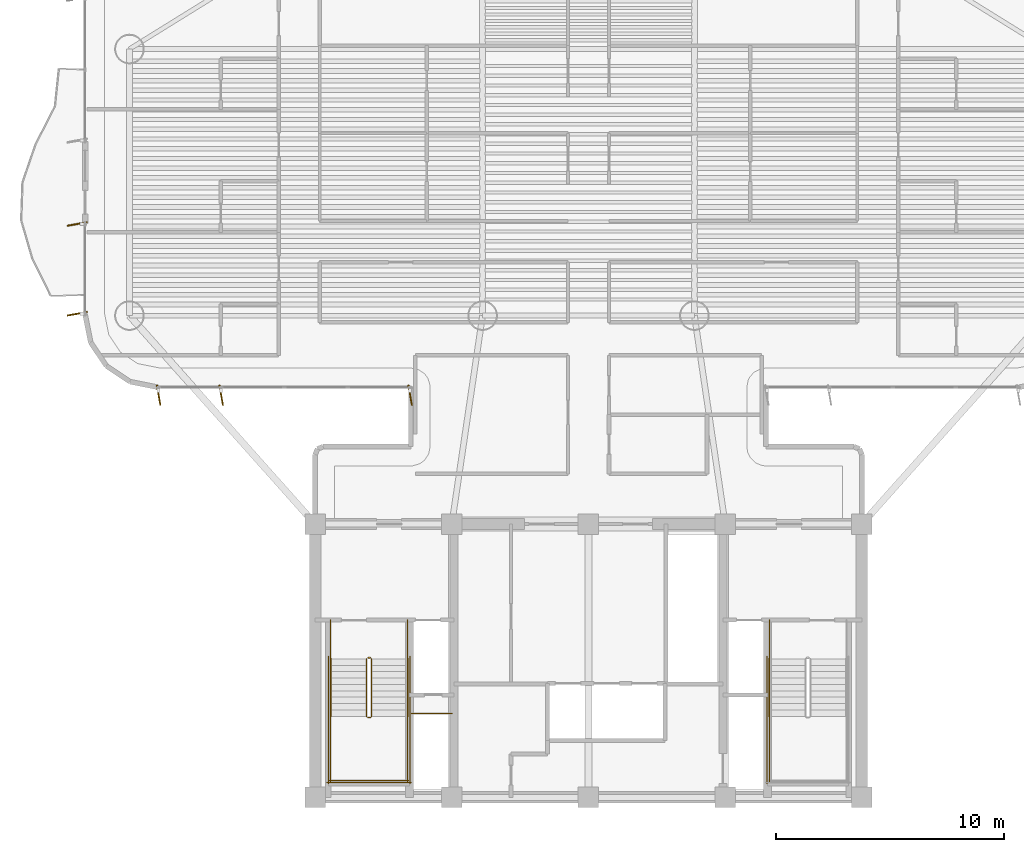
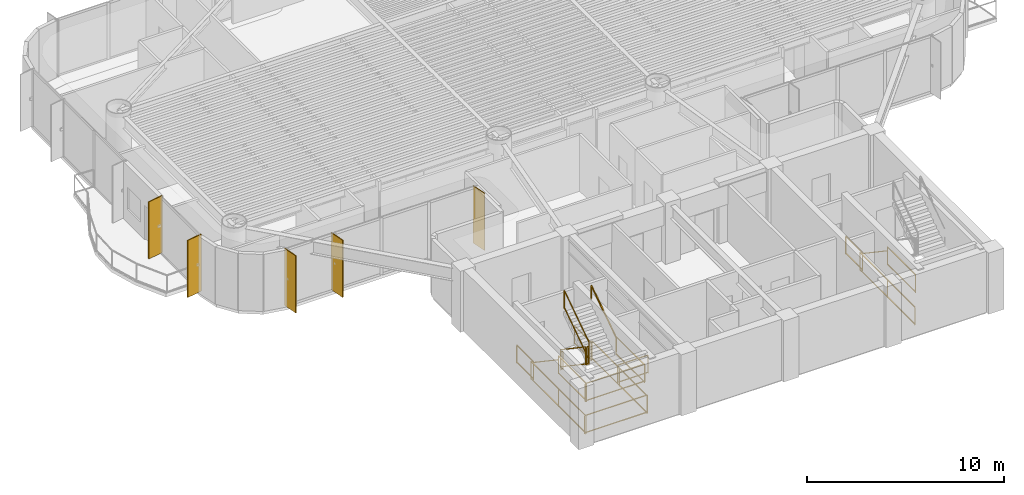
# One storey, part 14 of 17: 19 railings, 5 shading devices.
"""IFC4 building model written with IfcOpenShell, lengths in metres."""

from ifc_helpers import new_model, si_unit, direction, frame, origin, origin_2d, place, context, subcontext, project, spatial, rectangle, extrude, source, transform, mapped, material, layer, layer_set, material_profile, profile_set, type_object, element, save


model = new_model("IFC4")

# Units and contexts
model_context = context("Model", 3, precision=1e-05, world=origin(), true_north=direction((0.0, 1.0)))
body_context = subcontext(model_context, "Body", "Model", "MODEL_VIEW")
ifc_project = project(units=[si_unit("LENGTHUNIT", "METRE"), si_unit("AREAUNIT", "SQUARE_METRE"), si_unit("VOLUMEUNIT", "CUBIC_METRE"), si_unit("PLANEANGLEUNIT", "RADIAN"), si_unit("MASSUNIT", "GRAM", prefix="KILO")], contexts=[model_context])

# Site, building, storey
site_placement = place(None, origin())
site = spatial("IfcSite", under=ifc_project, at=site_placement, CompositionType="ELEMENT")
building_placement = place(site_placement, origin())
building = spatial("IfcBuilding", under=site, at=building_placement, Name="Brelvock Crest Care Tower", CompositionType="ELEMENT")
storey_placement = place(building_placement, frame((0.0, 0.0, 127.6201171875)))
storey = spatial("IfcBuildingStorey", under=building, at=storey_placement, Name="L32", CompositionType="ELEMENT", Elevation=127.6201171875)

# Railings
ifc_material_1 = material(Name="Steel Grade 350", Category="steel")
ifc_layer_1 = layer(ifc_material_1, 0.050048828125, Name="RL-STG1")
ifc_layer_set_1 = layer_set([ifc_layer_1], Name="Steel Grade 350")
railing_type_1 = type_object("IfcRailingType", Name="RL-STG1", PredefinedType="GUARDRAIL", material=ifc_layer_set_1)
railing_1_placement = place(storey_placement, frame((26.260009765625, 12.080078125, 0.18896484375)))
element("IfcRailing", 1, at=railing_1_placement, inside=storey, type_object=railing_type_1, Name="L32 ST-1 stair guard 1", PredefinedType="GUARDRAIL", context=body_context, shape_type="SweptSolid", body=[
    extrude(rectangle(XDim=0.048095703125, YDim=0.048095703125, at=origin_2d()), frame((0.0, -0.001708984375, 1.116943359375), z_axis=(0.0, -0.828861706735, 0.559453546873), x_axis=(1.0, 0.0, 0.0)), (0.0, 0.0, 1.0), 3.036376953125),
    extrude(rectangle(XDim=0.048095703125, YDim=0.048095703125, at=origin_2d()), frame((0.0, -0.001708984375, 0.05615234375), z_axis=(0.0, -0.828861706735, 0.559453546873), x_axis=(1.0, 0.0, 0.0)), (0.0, 0.0, 1.0), 3.036376953125),
    extrude(rectangle(XDim=0.0419921875, YDim=0.0419921875, at=origin_2d()), origin(), (0.0, 0.0, 1.0), 1.08984375),
    extrude(rectangle(XDim=0.0419921875, YDim=0.0419921875, at=origin_2d()), frame((0.0, -2.52001953125, 1.700927734375)), (0.0, 0.0, 1.0), 1.08984375),
])
railing_2_placement = place(storey_placement, frame((26.31005859375, 9.510009765625, 1.889892578125)))
element("IfcRailing", 2, at=railing_2_placement, inside=storey, type_object=railing_type_1, Name="L32 ST-1 stair guard 2", PredefinedType="GUARDRAIL", context=body_context, shape_type="SweptSolid", body=[
    extrude(rectangle(XDim=0.048095703125, YDim=0.048095703125, at=origin_2d()), frame((0.001953125, 0.0, 1.11572265625), z_axis=(1.0, 0.0, 0.0), x_axis=(0.0, 1.0, 0.0)), (0.0, 0.0, 1.0), 0.115966796875),
    extrude(rectangle(XDim=0.048095703125, YDim=0.048095703125, at=origin_2d()), frame((0.001953125, 0.0, 0.054931640625), z_axis=(1.0, 0.0, 0.0), x_axis=(0.0, 1.0, 0.0)), (0.0, 0.0, 1.0), 0.115966796875),
    extrude(rectangle(XDim=0.0419921875, YDim=0.0419921875, at=origin_2d()), origin(), (0.0, 0.0, 1.0), 1.08984375),
    extrude(rectangle(XDim=0.0419921875, YDim=0.0419921875, at=origin_2d()), frame((0.119873046875, 0.0, 0.0)), (0.0, 0.0, 1.0), 1.08984375),
])
for number, where, name in (
    (3, (24.679931640625, 9.56005859375, 1.889892578125), "L32 ST-1 stair guard 3"),
    (4, (28.06005859375, 9.56005859375, 1.889892578125), "L32 ST-1 stair guard 4"),
):
    element("IfcRailing", number, at=place(storey_placement, frame(where)), inside=storey, type_object=railing_type_1, Name=name, PredefinedType="GUARDRAIL", context=body_context, shape_type="SweptSolid", body=[
        extrude(rectangle(XDim=0.048095703125, YDim=0.048095703125, at=origin_2d()), frame((0.0, -0.001953125, 1.11572265625), z_axis=(0.0, -1.0, 0.0), x_axis=(1.0, 0.0, 0.0)), (0.0, 0.0, 1.0), 2.856201171875),
        extrude(rectangle(XDim=0.048095703125, YDim=0.048095703125, at=origin_2d()), frame((0.0, -0.001953125, 0.054931640625), z_axis=(0.0, -1.0, 0.0), x_axis=(1.0, 0.0, 0.0)), (0.0, 0.0, 1.0), 2.856201171875),
        extrude(rectangle(XDim=0.0419921875, YDim=0.0419921875, at=origin_2d()), origin(), (0.0, 0.0, 1.0), 1.08984375),
        extrude(rectangle(XDim=0.0419921875, YDim=0.0419921875, at=origin_2d()), frame((0.0, -2.860107421875, 0.0)), (0.0, 0.0, 1.0), 1.08984375),
    ])
railing_3_placement = place(storey_placement, frame((24.6298828125, 6.75, 1.889892578125)))
element("IfcRailing", 5, at=railing_3_placement, inside=storey, type_object=railing_type_1, Name="L32 ST-1 stair guard 5", PredefinedType="GUARDRAIL", context=body_context, shape_type="SweptSolid", body=[
    extrude(rectangle(XDim=0.048095703125, YDim=0.048095703125, at=origin_2d()), frame((0.001953125, 0.0, 1.11572265625), z_axis=(1.0, 0.0, 0.0), x_axis=(0.0, 1.0, 0.0)), (0.0, 0.0, 1.0), 3.476318359375),
    extrude(rectangle(XDim=0.048095703125, YDim=0.048095703125, at=origin_2d()), frame((0.001953125, 0.0, 0.054931640625), z_axis=(1.0, 0.0, 0.0), x_axis=(0.0, 1.0, 0.0)), (0.0, 0.0, 1.0), 3.476318359375),
    extrude(rectangle(XDim=0.0419921875, YDim=0.0419921875, at=origin_2d()), origin(), (0.0, 0.0, 1.0), 1.08984375),
    extrude(rectangle(XDim=0.0419921875, YDim=0.0419921875, at=origin_2d()), frame((3.480224609375, 0.0, 0.0)), (0.0, 0.0, 1.0), 1.08984375),
])
railing_4_placement = place(storey_placement, frame((26.47998046875, 9.56005859375, 2.078857421875)))
element("IfcRailing", 6, at=railing_4_placement, inside=storey, type_object=railing_type_1, Name="L32 ST-1 stair guard 6", PredefinedType="GUARDRAIL", context=body_context, shape_type="SweptSolid", body=[
    extrude(rectangle(XDim=0.048095703125, YDim=0.048095703125, at=origin_2d()), frame((0.0, 0.001708984375, 1.116943359375), z_axis=(0.0, 0.828861706735, 0.559453546873), x_axis=(-1.0, 0.0, 0.0)), (0.0, 0.0, 1.0), 3.036376953125),
    extrude(rectangle(XDim=0.048095703125, YDim=0.048095703125, at=origin_2d()), frame((0.0, 0.001708984375, 0.05615234375), z_axis=(0.0, 0.828861706735, 0.559453546873), x_axis=(-1.0, 0.0, 0.0)), (0.0, 0.0, 1.0), 3.036376953125),
    extrude(rectangle(XDim=0.0419921875, YDim=0.0419921875, at=origin_2d()), origin(), (0.0, 0.0, 1.0), 1.08984375),
    extrude(rectangle(XDim=0.0419921875, YDim=0.0419921875, at=origin_2d()), frame((0.0, 2.52001953125, 1.700927734375)), (0.0, 0.0, 1.0), 1.08984375),
])
railing_5_placement = place(storey_placement, frame((26.31005859375, 12.1298828125, 0.0)))
element("IfcRailing", 7, at=railing_5_placement, inside=storey, type_object=railing_type_1, Name="L32 ST-1 stair guard 7", PredefinedType="GUARDRAIL", context=body_context, shape_type="SweptSolid", body=[
    extrude(rectangle(XDim=0.048095703125, YDim=0.048095703125, at=origin_2d()), frame((0.001953125, 0.0, 1.11572265625), z_axis=(1.0, 0.0, 0.0), x_axis=(0.0, 1.0, 0.0)), (0.0, 0.0, 1.0), 0.115966796875),
    extrude(rectangle(XDim=0.048095703125, YDim=0.048095703125, at=origin_2d()), frame((0.001953125, 0.0, 0.054931640625), z_axis=(1.0, 0.0, 0.0), x_axis=(0.0, 1.0, 0.0)), (0.0, 0.0, 1.0), 0.115966796875),
    extrude(rectangle(XDim=0.0419921875, YDim=0.0419921875, at=origin_2d()), origin(), (0.0, 0.0, 1.0), 1.08984375),
    extrude(rectangle(XDim=0.0419921875, YDim=0.0419921875, at=origin_2d()), frame((0.119873046875, 0.0, 0.0)), (0.0, 0.0, 1.0), 1.08984375),
])
for number, where, name in (
    (8, (24.679931640625, 13.780029296875, 0.0), "L32 ST-1 stair guard 8"),
    (9, (28.06005859375, 13.780029296875, 0.0), "L32 ST-1 stair guard 9"),
):
    element("IfcRailing", number, at=place(storey_placement, frame(where)), inside=storey, type_object=railing_type_1, Name=name, PredefinedType="GUARDRAIL", context=body_context, shape_type="SweptSolid", body=[
        extrude(rectangle(XDim=0.048095703125, YDim=0.048095703125, at=origin_2d()), frame((0.0, -0.001953125, 1.11572265625), z_axis=(0.0, -1.0, 0.0), x_axis=(1.0, 0.0, 0.0)), (0.0, 0.0, 1.0), 1.696044921875),
        extrude(rectangle(XDim=0.048095703125, YDim=0.048095703125, at=origin_2d()), frame((0.0, -0.001953125, 0.054931640625), z_axis=(0.0, -1.0, 0.0), x_axis=(1.0, 0.0, 0.0)), (0.0, 0.0, 1.0), 1.696044921875),
        extrude(rectangle(XDim=0.0419921875, YDim=0.0419921875, at=origin_2d()), origin(), (0.0, 0.0, 1.0), 1.08984375),
        extrude(rectangle(XDim=0.0419921875, YDim=0.0419921875, at=origin_2d()), frame((0.0, -1.699951171875, 0.0)), (0.0, 0.0, 1.0), 1.08984375),
    ])
for number, where, name in (
    (10, (24.580078125, 12.179931640625, 0.0), "L32 ST-1 stair guard 10"),
    (11, (28.159912109375, 12.179931640625, 0.0), "L32 ST-1 stair guard 11"),
):
    element("IfcRailing", number, at=place(storey_placement, frame(where)), inside=storey, type_object=railing_type_1, Name=name, PredefinedType="GUARDRAIL", context=body_context, shape_type="SweptSolid", body=[
        extrude(rectangle(XDim=0.048095703125, YDim=0.048095703125, at=origin_2d()), frame((0.0, -0.001953125, 1.11572265625), z_axis=(0.0, -1.0, 0.0), x_axis=(1.0, 0.0, 0.0)), (0.0, 0.0, 1.0), 5.575927734375),
        extrude(rectangle(XDim=0.048095703125, YDim=0.048095703125, at=origin_2d()), frame((0.0, -0.001953125, 0.054931640625), z_axis=(0.0, -1.0, 0.0), x_axis=(1.0, 0.0, 0.0)), (0.0, 0.0, 1.0), 5.575927734375),
        extrude(rectangle(XDim=0.0419921875, YDim=0.0419921875, at=origin_2d()), origin(), (0.0, 0.0, 1.0), 1.08984375),
        extrude(rectangle(XDim=0.0419921875, YDim=0.0419921875, at=origin_2d()), frame((0.0, -2.7900390625, 0.0)), (0.0, 0.0, 1.0), 1.08984375),
        extrude(rectangle(XDim=0.0419921875, YDim=0.0419921875, at=origin_2d()), frame((0.0, -5.579833984375, 0.0)), (0.0, 0.0, 1.0), 1.08984375),
    ])
railing_6_placement = place(storey_placement, frame((24.530029296875, 6.64990234375, 0.0)))
element("IfcRailing", 12, at=railing_6_placement, inside=storey, type_object=railing_type_1, Name="L32 ST-1 stair guard 12", PredefinedType="GUARDRAIL", context=body_context, shape_type="SweptSolid", body=[
    extrude(rectangle(XDim=0.048095703125, YDim=0.048095703125, at=origin_2d()), frame((0.001953125, 0.0, 1.11572265625), z_axis=(1.0, 0.0, 0.0), x_axis=(0.0, 1.0, 0.0)), (0.0, 0.0, 1.0), 3.676025390625),
    extrude(rectangle(XDim=0.048095703125, YDim=0.048095703125, at=origin_2d()), frame((0.001953125, 0.0, 0.054931640625), z_axis=(1.0, 0.0, 0.0), x_axis=(0.0, 1.0, 0.0)), (0.0, 0.0, 1.0), 3.676025390625),
    extrude(rectangle(XDim=0.0419921875, YDim=0.0419921875, at=origin_2d()), origin(), (0.0, 0.0, 1.0), 1.08984375),
    extrude(rectangle(XDim=0.0419921875, YDim=0.0419921875, at=origin_2d()), frame((3.679931640625, 0.0, 0.0)), (0.0, 0.0, 1.0), 1.08984375),
])
railing_7_placement = place(storey_placement, frame((43.93994140625, 9.56005859375, 1.889892578125)))
element("IfcRailing", 13, at=railing_7_placement, inside=storey, type_object=railing_type_1, Name="L32 ST-2 stair guard 3", PredefinedType="GUARDRAIL", context=body_context, shape_type="SweptSolid", body=[
    extrude(rectangle(XDim=0.048095703125, YDim=0.048095703125, at=origin_2d()), frame((0.0, -0.001953125, 1.11572265625), z_axis=(0.0, -1.0, 0.0), x_axis=(1.0, 0.0, 0.0)), (0.0, 0.0, 1.0), 2.856201171875),
    extrude(rectangle(XDim=0.048095703125, YDim=0.048095703125, at=origin_2d()), frame((0.0, -0.001953125, 0.054931640625), z_axis=(0.0, -1.0, 0.0), x_axis=(1.0, 0.0, 0.0)), (0.0, 0.0, 1.0), 2.856201171875),
    extrude(rectangle(XDim=0.0419921875, YDim=0.0419921875, at=origin_2d()), origin(), (0.0, 0.0, 1.0), 1.08984375),
    extrude(rectangle(XDim=0.0419921875, YDim=0.0419921875, at=origin_2d()), frame((0.0, -2.860107421875, 0.0)), (0.0, 0.0, 1.0), 1.08984375),
])
railing_8_placement = place(storey_placement, frame((43.93994140625, 13.780029296875, 0.0)))
element("IfcRailing", 14, at=railing_8_placement, inside=storey, type_object=railing_type_1, Name="L32 ST-2 stair guard 8", PredefinedType="GUARDRAIL", context=body_context, shape_type="SweptSolid", body=[
    extrude(rectangle(XDim=0.048095703125, YDim=0.048095703125, at=origin_2d()), frame((0.0, -0.001953125, 1.11572265625), z_axis=(0.0, -1.0, 0.0), x_axis=(1.0, 0.0, 0.0)), (0.0, 0.0, 1.0), 1.696044921875),
    extrude(rectangle(XDim=0.048095703125, YDim=0.048095703125, at=origin_2d()), frame((0.0, -0.001953125, 0.054931640625), z_axis=(0.0, -1.0, 0.0), x_axis=(1.0, 0.0, 0.0)), (0.0, 0.0, 1.0), 1.696044921875),
    extrude(rectangle(XDim=0.0419921875, YDim=0.0419921875, at=origin_2d()), origin(), (0.0, 0.0, 1.0), 1.08984375),
    extrude(rectangle(XDim=0.0419921875, YDim=0.0419921875, at=origin_2d()), frame((0.0, -1.699951171875, 0.0)), (0.0, 0.0, 1.0), 1.08984375),
])
railing_9_placement = place(storey_placement, frame((43.840087890625, 12.179931640625, 0.0)))
element("IfcRailing", 15, at=railing_9_placement, inside=storey, type_object=railing_type_1, Name="L32 ST-2 stair guard 10", PredefinedType="GUARDRAIL", context=body_context, shape_type="SweptSolid", body=[
    extrude(rectangle(XDim=0.048095703125, YDim=0.048095703125, at=origin_2d()), frame((0.0, -0.001953125, 1.11572265625), z_axis=(0.0, -1.0, 0.0), x_axis=(1.0, 0.0, 0.0)), (0.0, 0.0, 1.0), 5.575927734375),
    extrude(rectangle(XDim=0.048095703125, YDim=0.048095703125, at=origin_2d()), frame((0.0, -0.001953125, 0.054931640625), z_axis=(0.0, -1.0, 0.0), x_axis=(1.0, 0.0, 0.0)), (0.0, 0.0, 1.0), 5.575927734375),
    extrude(rectangle(XDim=0.0419921875, YDim=0.0419921875, at=origin_2d()), origin(), (0.0, 0.0, 1.0), 1.08984375),
    extrude(rectangle(XDim=0.0419921875, YDim=0.0419921875, at=origin_2d()), frame((0.0, -2.7900390625, 0.0)), (0.0, 0.0, 1.0), 1.08984375),
    extrude(rectangle(XDim=0.0419921875, YDim=0.0419921875, at=origin_2d()), frame((0.0, -5.579833984375, 0.0)), (0.0, 0.0, 1.0), 1.08984375),
])
railing_10_placement = place(storey_placement, frame((28.219970703125, 9.679931640625, 0.0)))
element("IfcRailing", 16, at=railing_10_placement, inside=storey, type_object=railing_type_1, Name="L32 Fire Riser Threshold Guard", PredefinedType="GUARDRAIL", context=body_context, shape_type="SweptSolid", body=[
    extrude(rectangle(XDim=0.048095703125, YDim=0.048095703125, at=origin_2d()), frame((0.001953125, 0.0, 1.11572265625), z_axis=(1.0, 0.0, 0.0), x_axis=(0.0, 1.0, 0.0)), (0.0, 0.0, 1.0), 1.776123046875),
    extrude(rectangle(XDim=0.048095703125, YDim=0.048095703125, at=origin_2d()), frame((0.001953125, 0.0, 0.054931640625), z_axis=(1.0, 0.0, 0.0), x_axis=(0.0, 1.0, 0.0)), (0.0, 0.0, 1.0), 1.776123046875),
    extrude(rectangle(XDim=0.0419921875, YDim=0.0419921875, at=origin_2d()), origin(), (0.0, 0.0, 1.0), 1.08984375),
    extrude(rectangle(XDim=0.0419921875, YDim=0.0419921875, at=origin_2d()), frame((1.780029296875, 0.0, 0.0)), (0.0, 0.0, 1.0), 1.08984375),
])
ifc_layer_2 = layer(ifc_material_1, 0.048095703125, Name="RL-STH1")
ifc_layer_set_2 = layer_set([ifc_layer_2], Name="Steel Grade 350")
railing_type_2 = type_object("IfcRailingType", Name="RL-STH1", PredefinedType="HANDRAIL", material=ifc_layer_set_2)
railing_11_placement = place(storey_placement, frame((24.679931640625, 12.080078125, 0.18896484375)))
element("IfcRailing", 17, at=railing_11_placement, inside=storey, type_object=railing_type_2, Name="L32 ST-1 stair handrail 1", PredefinedType="HANDRAIL", context=body_context, shape_type="SweptSolid", body=[
    extrude(rectangle(XDim=0.048095703125, YDim=0.048095703125, at=origin_2d()), frame((0.0, -0.001708984375, 0.876953125), z_axis=(0.0, -0.828861706735, 0.559453546873), x_axis=(1.0, 0.0, 0.0)), (0.0, 0.0, 1.0), 3.036376953125),
    extrude(rectangle(XDim=0.0419921875, YDim=0.0419921875, at=origin_2d()), origin(), (0.0, 0.0, 1.0), 0.849853515625),
    extrude(rectangle(XDim=0.0419921875, YDim=0.0419921875, at=origin_2d()), frame((0.0, -2.52001953125, 1.700927734375)), (0.0, 0.0, 1.0), 0.849853515625),
])
railing_12_placement = place(storey_placement, frame((28.06005859375, 9.56005859375, 2.078857421875)))
element("IfcRailing", 18, at=railing_12_placement, inside=storey, type_object=railing_type_2, Name="L32 ST-1 stair handrail 2", PredefinedType="HANDRAIL", context=body_context, shape_type="SweptSolid", body=[
    extrude(rectangle(XDim=0.048095703125, YDim=0.048095703125, at=origin_2d()), frame((0.0, 0.001708984375, 0.876953125), z_axis=(0.0, 0.828861706735, 0.559453546873), x_axis=(-1.0, 0.0, 0.0)), (0.0, 0.0, 1.0), 3.036376953125),
    extrude(rectangle(XDim=0.0419921875, YDim=0.0419921875, at=origin_2d()), origin(), (0.0, 0.0, 1.0), 0.849853515625),
    extrude(rectangle(XDim=0.0419921875, YDim=0.0419921875, at=origin_2d()), frame((0.0, 2.52001953125, 1.700927734375)), (0.0, 0.0, 1.0), 0.849853515625),
])
railing_13_placement = place(storey_placement, frame((43.93994140625, 12.080078125, 0.18896484375)))
element("IfcRailing", 19, at=railing_13_placement, inside=storey, type_object=railing_type_2, Name="L32 ST-2 stair handrail 1", PredefinedType="HANDRAIL", context=body_context, shape_type="SweptSolid", body=[
    extrude(rectangle(XDim=0.048095703125, YDim=0.048095703125, at=origin_2d()), frame((0.0, -0.001708984375, 0.876953125), z_axis=(0.0, -0.828861706735, 0.559453546873), x_axis=(1.0, 0.0, 0.0)), (0.0, 0.0, 1.0), 3.036376953125),
    extrude(rectangle(XDim=0.0419921875, YDim=0.0419921875, at=origin_2d()), origin(), (0.0, 0.0, 1.0), 0.849853515625),
    extrude(rectangle(XDim=0.0419921875, YDim=0.0419921875, at=origin_2d()), frame((0.0, -2.52001953125, 1.700927734375)), (0.0, 0.0, 1.0), 0.849853515625),
])

# Shading devices
ifc_material_2 = material(Name="Aluminium 6063-T6", Category="aluminium")
ifc_material_profile = material_profile(ifc_material_2, rectangle(XDim=0.054931640625, YDim=0.89990234375, at=origin_2d()), Name="FIN55x900")
ifc_profile_set = profile_set([ifc_material_profile], Name="Aluminium 6063-T6")
shading_device_type = type_object("IfcShadingDeviceType", Name="SHD-FIN1", PredefinedType="USERDEFINED", material=ifc_profile_set)
shared_shape = source(origin(), body_context, "Body", "SweptSolid", [
    extrude(rectangle(XDim=0.054931640625, YDim=0.89990234375, at=origin_2d()), origin(), (0.0, 0.0, 1.0), 3.52978515625),
])
for number, where, z_axis, x_axis, name in (
    (20, (28.169921875, 23.659912109375, 0.0), (0.0, 0.0, 1.0), (-0.984807753012, -0.173648177667, 0.0), "L32 Vertical Sunshade Fin E12-01"),
    (21, (19.875, 23.659912109375, 0.0), (0.0, 0.0, 1.0), (-0.984807753012, -0.173648177667, 0.0), "L32 Vertical Sunshade Fin E12-04"),
    (22, (17.1298828125, 23.659912109375, 0.0), (0.0, 0.0, 1.0), (-0.984807753012, -0.173648177667, 0.0), "L32 Vertical Sunshade Fin E12-05"),
    (23, (13.56005859375, 27.22998046875, 0.0), (0.0, 0.0, 1.0), (-0.173648177667, 0.984807753012, 0.0), "L32 Vertical Sunshade Fin E17A-01"),
    (24, (13.56005859375, 31.169921875, 0.0), (0.0, 0.0, 1.0), (-0.173648177667, 0.984807753012, 0.0), "L32 Vertical Sunshade Fin E17A-02"),
):
    element("IfcShadingDevice", number, at=place(storey_placement, frame(where, z_axis=z_axis, x_axis=x_axis)), inside=storey, type_object=shading_device_type, Name=name, ObjectType="FIN", PredefinedType="USERDEFINED", context=body_context, shape_type="MappedRepresentation", body=[
        mapped(shared_shape, transform((0.0, 0.0, 0.0), x_axis=(1.0, 0.0, 0.0), y_axis=(0.0, 1.0, 0.0), z_axis=(0.0, 0.0, 1.0), scale=1.0)),
    ])

save(model, "model.ifc")
